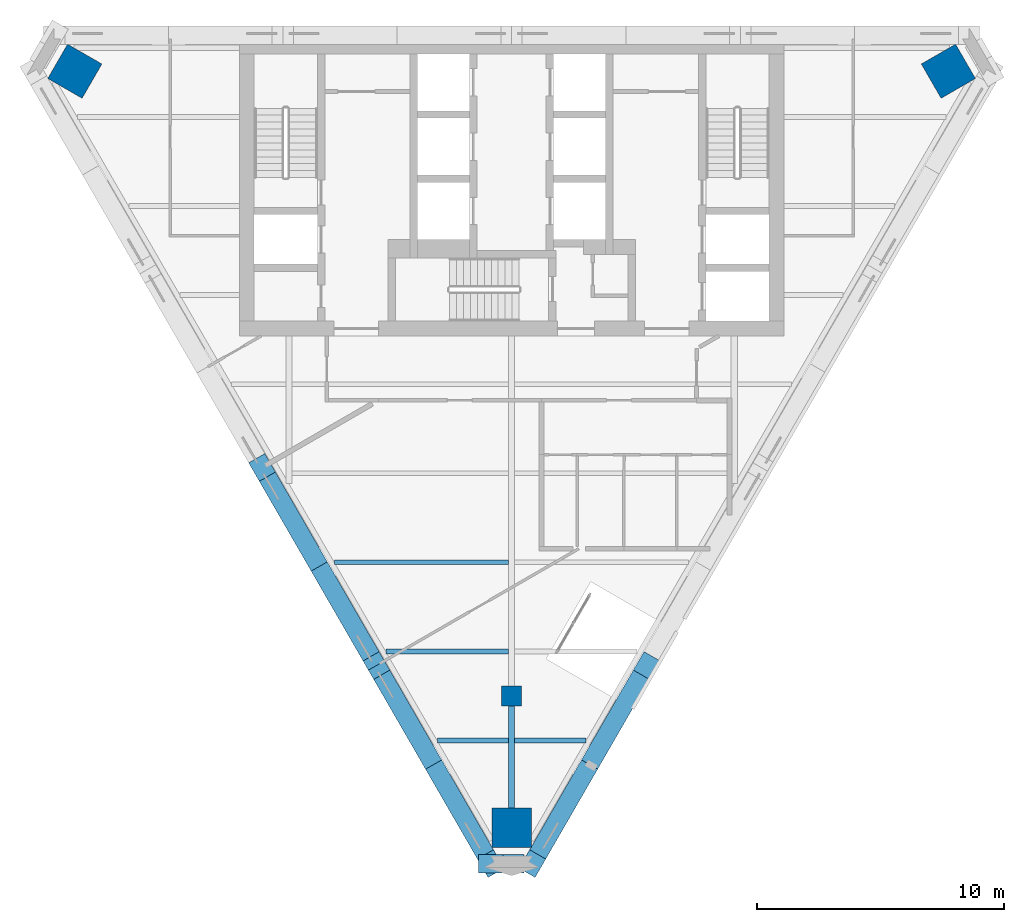
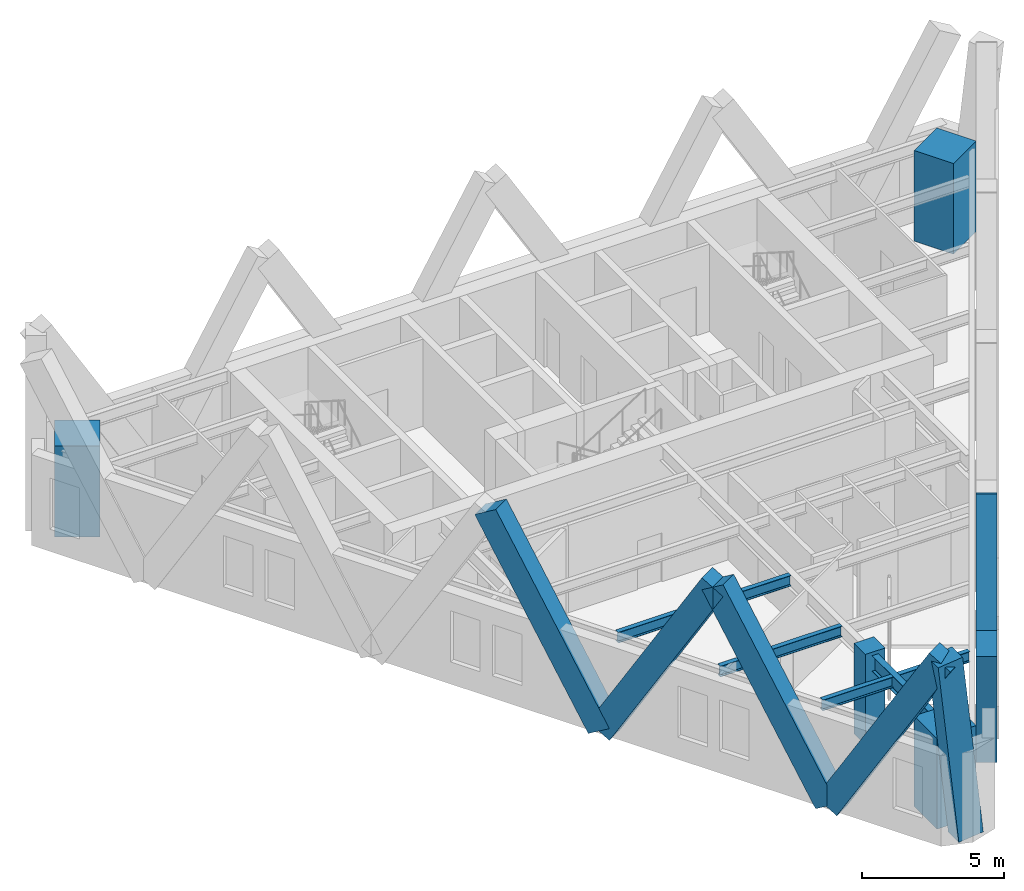
# One storey, part 1 of 9: 7 members, 5 beams, 4 columns.
"""IFC4 building model written with IfcOpenShell, lengths in metres."""

from ifc_helpers import new_model, si_unit, direction, frame, origin, origin_2d, place, context, subcontext, project, spatial, rectangle, i_section, extrude, material, material_profile, profile_set, type_object, element, save


model = new_model("IFC4")

# Units and contexts
model_context = context("Model", 3, precision=1e-05, world=origin(), true_north=direction((0.0, 1.0)))
body_context = subcontext(model_context, "Body", "Model", "MODEL_VIEW")
ifc_project = project(units=[si_unit("LENGTHUNIT", "METRE"), si_unit("AREAUNIT", "SQUARE_METRE"), si_unit("VOLUMEUNIT", "CUBIC_METRE"), si_unit("PLANEANGLEUNIT", "RADIAN"), si_unit("MASSUNIT", "GRAM", prefix="KILO")], contexts=[model_context])

# Site, building, storey
site_placement = place(None, origin())
site = spatial("IfcSite", under=ifc_project, at=site_placement, CompositionType="ELEMENT")
building_placement = place(site_placement, origin())
building = spatial("IfcBuilding", under=site, at=building_placement, Name="Aloe Facet Convention Tower", CompositionType="ELEMENT")
storey_placement = place(building_placement, frame((0.0, 0.0, 277.699951171875)))
storey = spatial("IfcBuildingStorey", under=building, at=storey_placement, Name="L68", CompositionType="ELEMENT", Elevation=277.699951171875)

# Columns
ifc_material_1 = material(Name="Concrete C70/85", Category="concrete")
ifc_material_profile_1 = material_profile(ifc_material_1, rectangle(XDim=0.800048828125, YDim=0.800048828125, at=origin_2d()), Name="SF-GC-Z5")
ifc_profile_set_1 = profile_set([ifc_material_profile_1], Name="Concrete C70/85")
column_type_1 = type_object("IfcColumnType", Name="SF-GC-Z5", PredefinedType="COLUMN", material=ifc_profile_set_1)
column_placement = place(storey_placement, frame((80.0, 108.0, 0.0), z_axis=(0.0, 0.0, 1.0), x_axis=(1.0, 0.0, 0.0)))
element("IfcColumn", 1, at=column_placement, inside=storey, type_object=column_type_1, Name="Gravity column GC-Z5-9D", PredefinedType="COLUMN", context=body_context, shape_type="SweptSolid", body=[
    extrude(rectangle(XDim=0.800048828125, YDim=0.800048828125, at=origin_2d()), origin(), (0.0, 0.0, 1.0), 3.900146484375),
])
ifc_material_2 = material(Name="Concrete C80/95", Category="concrete")
ifc_material_profile_2 = material_profile(ifc_material_2, rectangle(XDim=1.60009765625, YDim=1.60009765625, at=origin_2d()), Name="STW-MC-Z5")
ifc_profile_set_2 = profile_set([ifc_material_profile_2], Name="Concrete C80/95")
column_type_2 = type_object("IfcColumnType", Name="STW-MC-Z5", PredefinedType="COLUMN", material=ifc_profile_set_2)
for number, where, z_axis, x_axis, name in (
    (2, (97.650634765625, 133.247314453125, 0.0), (0.0, 0.0, 1.0), (-0.5, 0.866025403784, 0.0), "Mega-column MC-NE-L68"),
    (3, (62.349365234375, 133.247314453125, 0.0), (0.0, 0.0, 1.0), (-0.5, -0.866025403784, 0.0), "Mega-column MC-NW-L68"),
    (4, (80.0, 102.67578125, 0.0), (0.0, 0.0, 1.0), (1.0, 0.0, 0.0), "Mega-column MC-S-L68"),
):
    element("IfcColumn", number, at=place(storey_placement, frame(where, z_axis=z_axis, x_axis=x_axis)), inside=storey, type_object=column_type_2, Name=name, PredefinedType="COLUMN", context=body_context, shape_type="SweptSolid", body=[
        extrude(rectangle(XDim=1.60009765625, YDim=1.60009765625, at=origin_2d()), origin(), (0.0, 0.0, 1.0), 3.900146484375),
    ])

# Beams
ifc_material_3 = material(Name="Steel S355", Category="steel")
ifc_material_profile_3 = material_profile(ifc_material_3, i_section(OverallWidth=0.19140625, OverallDepth=0.4599609375, WebThickness=0.010009765625, FlangeThickness=0.01611328125, FilletRadius=0.01025390625, at=origin_2d()), Name="UB 457x191x82")
ifc_profile_set_3 = profile_set([ifc_material_profile_3], Name="Steel S355")
beam_type_1 = type_object("IfcBeamType", Name="SF-B-UB457x191x82", PredefinedType="BEAM", material=ifc_profile_set_3)
beam_1_placement = place(storey_placement, frame((72.844482421875, 113.39990234375, 3.52001953125), z_axis=(1.0, 0.0, 0.0), x_axis=(0.0, 1.0, 0.0)))
element("IfcBeam", 5, at=beam_1_placement, inside=storey, type_object=beam_type_1, Name="Floor beam FB-Z5B-015", PredefinedType="BEAM", context=body_context, shape_type="SweptSolid", body=[
    extrude(i_section(OverallWidth=0.19140625, OverallDepth=0.4599609375, WebThickness=0.010009765625, FlangeThickness=0.01611328125, FilletRadius=0.01025390625, at=origin_2d()), origin(), (0.0, 0.0, 1.0), 7.029052734375),
])
beam_2_placement = place(storey_placement, frame((74.923095703125, 109.800048828125, 3.52001953125), z_axis=(1.0, 0.0, 0.0), x_axis=(0.0, 1.0, 0.0)))
element("IfcBeam", 6, at=beam_2_placement, inside=storey, type_object=beam_type_1, Name="Floor beam FB-Z5B-016", PredefinedType="BEAM", context=body_context, shape_type="SweptSolid", body=[
    extrude(i_section(OverallWidth=0.19140625, OverallDepth=0.4599609375, WebThickness=0.010009765625, FlangeThickness=0.01611328125, FilletRadius=0.01025390625, at=origin_2d()), origin(), (0.0, 0.0, 1.0), 4.950439453125),
])
for number, where, z_axis, x_axis, name in (
    (7, (77.00146484375, 106.199951171875, 3.52001953125), (1.0, 0.0, 0.0), (0.0, 1.0, 0.0), "Floor beam FB-Z5B-017"),
    (8, (80.12646484375, 106.199951171875, 3.52001953125), (1.0, 0.0, 0.0), (0.0, 1.0, 0.0), "Floor beam FB-Z5B-018"),
):
    element("IfcBeam", number, at=place(storey_placement, frame(where, z_axis=z_axis, x_axis=x_axis)), inside=storey, type_object=beam_type_1, Name=name, PredefinedType="BEAM", context=body_context, shape_type="SweptSolid", body=[
        extrude(i_section(OverallWidth=0.19140625, OverallDepth=0.4599609375, WebThickness=0.010009765625, FlangeThickness=0.01611328125, FilletRadius=0.01025390625, at=origin_2d()), origin(), (0.0, 0.0, 1.0), 2.8720703125),
    ])
ifc_material_4 = material(Name="Steel S355", Category="steel")
ifc_material_profile_4 = material_profile(ifc_material_4, i_section(OverallWidth=0.2529296875, OverallDepth=0.677978515625, WebThickness=0.01171875, FlangeThickness=0.01611328125, FilletRadius=0.01513671875, at=origin_2d()), Name="UB 686x254x125")
ifc_profile_set_4 = profile_set([ifc_material_profile_4], Name="Steel S355")
beam_type_2 = type_object("IfcBeamType", Name="SF-B-UB686x254x125", PredefinedType="BEAM", material=ifc_profile_set_4)
beam_3_placement = place(storey_placement, frame((80.0, 107.60009765625, 3.4111328125), z_axis=(0.0, -1.0, 0.0), x_axis=(1.0, 0.0, 0.0)))
element("IfcBeam", 9, at=beam_3_placement, inside=storey, type_object=beam_type_2, Name="Floor beam FB-Z5B-006", PredefinedType="BEAM", context=body_context, shape_type="SweptSolid", body=[
    extrude(i_section(OverallWidth=0.2529296875, OverallDepth=0.677978515625, WebThickness=0.01171875, FlangeThickness=0.01611328125, FilletRadius=0.01513671875, at=origin_2d()), origin(), (0.0, 0.0, 1.0), 5.60498046875),
])

# Members
ifc_material_5 = material(Name="Concrete C60/75, bronze oxide finish", Category="concrete")
ifc_material_profile_5 = material_profile(ifc_material_5, rectangle(XDim=0.75, YDim=1.0, at=origin_2d()), Name="STW-LM")
ifc_profile_set_5 = profile_set([ifc_material_profile_5], Name="Concrete C60/75, bronze oxide finish")
member_type = type_object("IfcMemberType", Name="STW-LM", PredefinedType="BRACE", material=ifc_profile_set_5)
for number, where, z_axis, x_axis, name in (
    (10, (72.2275390625, 113.23291015625, 0.0), (-0.254873462398, 0.441457532229, 0.860322477565), (-0.866027240882, -0.49999681804, 0.0), "Lattice member LM-Z5-F2-R5-05"),
    (11, (72.2275390625, 113.23291015625, 0.0), (0.254873462398, -0.441457532229, 0.860322477565), (0.866027240882, 0.49999681804, 0.0), "Lattice member LM-Z5-F2-R5-06"),
    (12, (76.84912109375, 105.228271484375, 0.0), (-0.254876492185, 0.441435851704, 0.860332704575), (-0.866014033677, -0.500019693086, 0.0), "Lattice member LM-Z5-F2-R5-07"),
    (13, (76.84912109375, 105.228271484375, 0.0), (0.254873462398, -0.441457532229, 0.860322477565), (0.866027240882, 0.49999681804, 0.0), "Lattice member LM-Z5-F2-R5-08"),
    (14, (83.15087890625, 105.228271484375, 0.0), (-0.254873462398, -0.441457532229, 0.860322477565), (0.866027240882, -0.49999681804, 0.0), "Lattice member LM-Z5-F3-R5-01"),
    (15, (83.15087890625, 105.228271484375, 0.0), (0.254876492185, 0.441435851704, 0.860332704575), (-0.866014033677, 0.500019693086, 0.0), "Lattice member LM-Z5-F3-R5-02"),
):
    element("IfcMember", number, at=place(storey_placement, frame(where, z_axis=z_axis, x_axis=x_axis)), inside=storey, type_object=member_type, Name=name, PredefinedType="BRACE", context=body_context, shape_type="SweptSolid", body=[
        extrude(rectangle(XDim=0.75, YDim=1.0, at=origin_2d()), origin(), (0.0, 0.0, 1.0), 9.06640625),
    ])
member_placement = place(storey_placement, frame((79.159912109375, 101.225830078125, 7.800048828125), z_axis=(0.107083611851, 0.0, -0.994250018895), x_axis=(0.0, 1.0, 0.0)))
element("IfcMember", 16, at=member_placement, inside=storey, type_object=member_type, Name="Lattice member LM-Z5-F5-R4-02", PredefinedType="BRACE", context=body_context, shape_type="SweptSolid", body=[
    extrude(rectangle(XDim=0.75, YDim=1.0, at=origin_2d()), origin(), (0.0, 0.0, 1.0), 7.84521484375),
])

save(model, "model.ifc")
